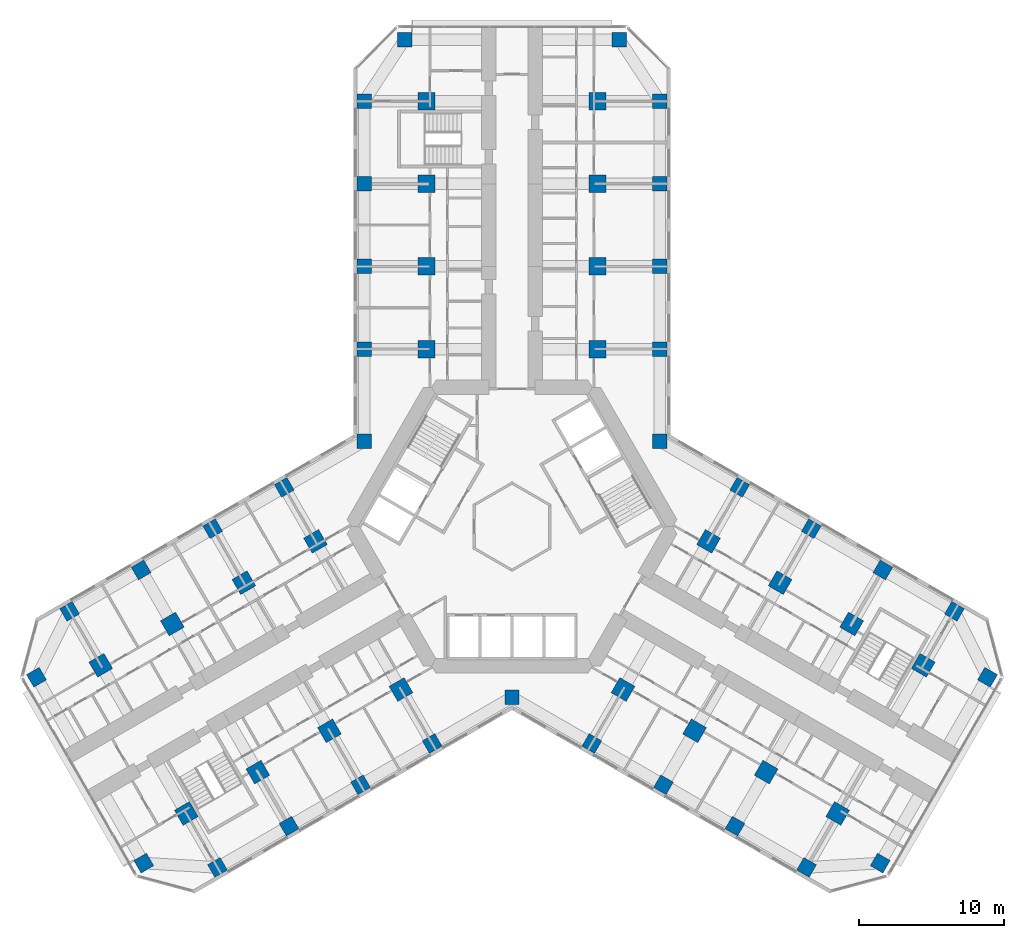
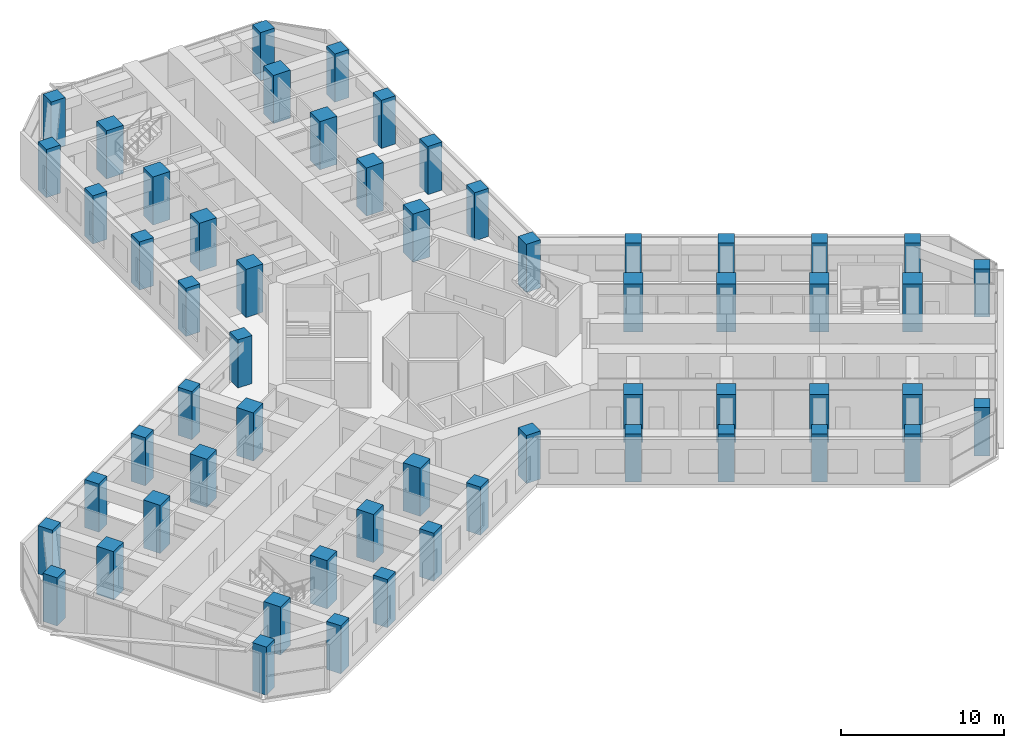
# One storey, part 1 of 21: 57 columns.
"""IFC4 building model written with IfcOpenShell, lengths in metres."""

from ifc_helpers import new_model, si_unit, direction, frame, origin, origin_2d, place, context, subcontext, project, spatial, rectangle, extrude, material, material_profile, profile_set, type_object, element, save


model = new_model("IFC4")

# Units and contexts
model_context = context("Model", 3, precision=1e-05, world=origin(), true_north=direction((0.0, 1.0)))
body_context = subcontext(model_context, "Body", "Model", "MODEL_VIEW")
ifc_project = project(units=[si_unit("LENGTHUNIT", "METRE"), si_unit("AREAUNIT", "SQUARE_METRE"), si_unit("VOLUMEUNIT", "CUBIC_METRE"), si_unit("PLANEANGLEUNIT", "RADIAN"), si_unit("MASSUNIT", "GRAM", prefix="KILO")], contexts=[model_context])

# Site, building, storey
site_placement = place(None, origin())
site = spatial("IfcSite", under=ifc_project, at=site_placement, CompositionType="ELEMENT")
building_placement = place(site_placement, origin())
building = spatial("IfcBuilding", under=site, at=building_placement, Name="Kosmar Iwan School Tower", CompositionType="ELEMENT")
storey_placement = place(building_placement, frame((0.0, 0.0, 68.199951171875)))
storey = spatial("IfcBuildingStorey", under=building, at=storey_placement, Name="L16", CompositionType="ELEMENT", Elevation=68.199951171875)

# Columns
ifc_material_1 = material(Name="Concrete C50/60", Category="concrete")
ifc_material_profile_1 = material_profile(ifc_material_1, rectangle(XDim=1.0, YDim=1.0, at=origin_2d()), Name="RC 1000x1000 + HD 400x677")
ifc_profile_set_1 = profile_set([ifc_material_profile_1], Name="Concrete C50/60")
column_type_1 = type_object("IfcColumnType", Name="Composite column 1000x1000 HD 400x677", PredefinedType="COLUMN", material=ifc_profile_set_1)
for number, where, z_axis, x_axis, name in (
    (1, (-10.199951171875, 12.25, 0.0), (0.0, 0.0, 1.0), (0.0, 1.0, 0.0), "Column AL1 L16"),
    (2, (-10.199951171875, 17.949951171875, 0.0), (0.0, 0.0, 1.0), (0.0, 1.0, 0.0), "Column AL2 L16"),
    (3, (-10.199951171875, 23.64990234375, 0.0), (0.0, 0.0, 1.0), (0.0, 1.0, 0.0), "Column AL3 L16"),
    (4, (-10.199951171875, 29.35009765625, 0.0), (0.0, 0.0, 1.0), (0.0, 1.0, 0.0), "Column AL4 L16"),
    (5, (-7.39990234375, 33.60009765625, 0.0), (0.0, 0.0, 1.0), (0.0, 1.0, 0.0), "Column ALTIP L16"),
    (6, (10.199951171875, 12.25, 0.0), (0.0, 0.0, 1.0), (0.0, 1.0, 0.0), "Column AR1 L16"),
    (7, (10.199951171875, 17.949951171875, 0.0), (0.0, 0.0, 1.0), (0.0, 1.0, 0.0), "Column AR2 L16"),
    (8, (10.199951171875, 23.64990234375, 0.0), (0.0, 0.0, 1.0), (0.0, 1.0, 0.0), "Column AR3 L16"),
    (9, (10.199951171875, 29.35009765625, 0.0), (0.0, 0.0, 1.0), (0.0, 1.0, 0.0), "Column AR4 L16"),
    (10, (7.39990234375, 33.60009765625, 0.0), (0.0, 0.0, 1.0), (0.0, 1.0, 0.0), "Column ARTIP L16"),
    (11, (-5.5087890625, -14.95849609375, 0.0), (0.0, 0.0, 1.0), (-0.866025403784, -0.5, 0.0), "Column BL1 L16"),
    (12, (-10.445068359375, -17.808349609375, 0.0), (0.0, 0.0, 1.0), (-0.866025403784, -0.5, 0.0), "Column BL2 L16"),
    (13, (-15.381591796875, -20.658447265625, 0.0), (0.0, 0.0, 1.0), (-0.866025403784, -0.5, 0.0), "Column BL3 L16"),
    (14, (-20.31787109375, -23.508544921875, 0.0), (0.0, 0.0, 1.0), (-0.866025403784, -0.5, 0.0), "Column BL4 L16"),
    (15, (-25.3984375, -23.20849609375, 0.0), (0.0, 0.0, 1.0), (-0.866025403784, -0.5, 0.0), "Column BLTIP L16"),
    (16, (-15.708740234375, 2.70849609375, 0.0), (0.0, 0.0, 1.0), (-0.866025403784, -0.5, 0.0), "Column BR1 L16"),
    (17, (-20.645263671875, -0.1416015625, 0.0), (0.0, 0.0, 1.0), (-0.866025403784, -0.5, 0.0), "Column BR2 L16"),
    (18, (-25.58154296875, -2.991455078125, 0.0), (0.0, 0.0, 1.0), (-0.866025403784, -0.5, 0.0), "Column BR3 L16"),
    (19, (-30.517822265625, -5.841552734375, 0.0), (0.0, 0.0, 1.0), (-0.866025403784, -0.5, 0.0), "Column BR4 L16"),
    (20, (-32.79833984375, -10.391357421875, 0.0), (0.0, 0.0, 1.0), (-0.866025403784, -0.5, 0.0), "Column BRTIP L16"),
    (21, (15.708740234375, 2.70849609375, 0.0), (0.0, 0.0, 1.0), (0.866025403784, -0.5, 0.0), "Column CL1 L16"),
    (22, (20.645263671875, -0.1416015625, 0.0), (0.0, 0.0, 1.0), (0.866025403784, -0.5, 0.0), "Column CL2 L16"),
    (23, (25.58154296875, -2.991455078125, 0.0), (0.0, 0.0, 1.0), (0.866025403784, -0.5, 0.0), "Column CL3 L16"),
    (24, (30.517822265625, -5.841552734375, 0.0), (0.0, 0.0, 1.0), (0.866025403784, -0.5, 0.0), "Column CL4 L16"),
    (25, (32.79833984375, -10.391357421875, 0.0), (0.0, 0.0, 1.0), (0.866025403784, -0.5, 0.0), "Column CLTIP L16"),
    (26, (5.5087890625, -14.95849609375, 0.0), (0.0, 0.0, 1.0), (0.866025403784, -0.5, 0.0), "Column CR1 L16"),
    (27, (10.445068359375, -17.808349609375, 0.0), (0.0, 0.0, 1.0), (0.866025403784, -0.5, 0.0), "Column CR2 L16"),
    (28, (15.381591796875, -20.658447265625, 0.0), (0.0, 0.0, 1.0), (0.866025403784, -0.5, 0.0), "Column CR3 L16"),
    (29, (20.31787109375, -23.508544921875, 0.0), (0.0, 0.0, 1.0), (0.866025403784, -0.5, 0.0), "Column CR4 L16"),
    (30, (25.3984375, -23.20849609375, 0.0), (0.0, 0.0, 1.0), (0.866025403784, -0.5, 0.0), "Column CRTIP L16"),
    (31, (-10.199951171875, 5.888916015625, 0.0), (0.0, 0.0, 1.0), (1.0, 0.0, 0.0), "Column RAB L16"),
    (32, (10.199951171875, 5.888916015625, 0.0), (0.0, 0.0, 1.0), (1.0, 0.0, 0.0), "Column RAC L16"),
    (33, (0.0, -11.77783203125, 0.0), (0.0, 0.0, 1.0), (1.0, 0.0, 0.0), "Column RBC L16"),
):
    element("IfcColumn", number, at=place(storey_placement, frame(where, z_axis=z_axis, x_axis=x_axis)), inside=storey, type_object=column_type_1, Name=name, PredefinedType="COLUMN", context=body_context, shape_type="SweptSolid", body=[
        extrude(rectangle(XDim=1.0, YDim=1.0, at=origin_2d()), origin(), (0.0, 0.0, 1.0), 3.60009765625),
    ])
ifc_material_2 = material(Name="Concrete C50/60", Category="concrete")
ifc_material_profile_2 = material_profile(ifc_material_2, rectangle(XDim=1.199951171875, YDim=1.199951171875, at=origin_2d()), Name="RC 1200x1200")
ifc_profile_set_2 = profile_set([ifc_material_profile_2], Name="Concrete C50/60")
column_type_2 = type_object("IfcColumnType", Name="RC interior column 1200x1200", PredefinedType="COLUMN", material=ifc_profile_set_2)
for number, where, z_axis, x_axis, name in (
    (34, (-5.89990234375, 12.25, 0.0), (0.0, 0.0, 1.0), (0.0, 1.0, 0.0), "Interior column ALI1 L16"),
    (35, (-5.89990234375, 17.949951171875, 0.0), (0.0, 0.0, 1.0), (0.0, 1.0, 0.0), "Interior column ALI2 L16"),
    (36, (-5.89990234375, 23.64990234375, 0.0), (0.0, 0.0, 1.0), (0.0, 1.0, 0.0), "Interior column ALI3 L16"),
    (37, (-5.89990234375, 29.35009765625, 0.0), (0.0, 0.0, 1.0), (0.0, 1.0, 0.0), "Interior column ALI4 L16"),
    (38, (5.89990234375, 12.25, 0.0), (0.0, 0.0, 1.0), (0.0, 1.0, 0.0), "Interior column ARI1 L16"),
    (39, (5.89990234375, 17.949951171875, 0.0), (0.0, 0.0, 1.0), (0.0, 1.0, 0.0), "Interior column ARI2 L16"),
    (40, (5.89990234375, 23.64990234375, 0.0), (0.0, 0.0, 1.0), (0.0, 1.0, 0.0), "Interior column ARI3 L16"),
    (41, (5.89990234375, 29.35009765625, 0.0), (0.0, 0.0, 1.0), (0.0, 1.0, 0.0), "Interior column ARI4 L16"),
    (42, (-7.65869140625, -11.234619140625, 0.0), (0.0, 0.0, 1.0), (-0.866025403784, -0.5, 0.0), "Interior column BLI1 L16"),
    (43, (-12.59521484375, -14.08447265625, 0.0), (0.0, 0.0, 1.0), (-0.866025403784, -0.5, 0.0), "Interior column BLI2 L16"),
    (44, (-17.531494140625, -16.9345703125, 0.0), (0.0, 0.0, 1.0), (-0.866025403784, -0.5, 0.0), "Interior column BLI3 L16"),
    (45, (-22.4677734375, -19.78466796875, 0.0), (0.0, 0.0, 1.0), (-0.866025403784, -0.5, 0.0), "Interior column BLI4 L16"),
    (46, (-13.558837890625, -1.015380859375, 0.0), (0.0, 0.0, 1.0), (-0.866025403784, -0.5, 0.0), "Interior column BRI1 L16"),
    (47, (-18.4951171875, -3.865478515625, 0.0), (0.0, 0.0, 1.0), (-0.866025403784, -0.5, 0.0), "Interior column BRI2 L16"),
    (48, (-23.431396484375, -6.71533203125, 0.0), (0.0, 0.0, 1.0), (-0.866025403784, -0.5, 0.0), "Interior column BRI3 L16"),
    (49, (-28.367919921875, -9.5654296875, 0.0), (0.0, 0.0, 1.0), (-0.866025403784, -0.5, 0.0), "Interior column BRI4 L16"),
    (50, (13.558837890625, -1.015380859375, 0.0), (0.0, 0.0, 1.0), (0.866025403784, -0.5, 0.0), "Interior column CLI1 L16"),
    (51, (18.4951171875, -3.865478515625, 0.0), (0.0, 0.0, 1.0), (0.866025403784, -0.5, 0.0), "Interior column CLI2 L16"),
    (52, (23.431396484375, -6.71533203125, 0.0), (0.0, 0.0, 1.0), (0.866025403784, -0.5, 0.0), "Interior column CLI3 L16"),
    (53, (28.367919921875, -9.5654296875, 0.0), (0.0, 0.0, 1.0), (0.866025403784, -0.5, 0.0), "Interior column CLI4 L16"),
    (54, (7.65869140625, -11.234619140625, 0.0), (0.0, 0.0, 1.0), (0.866025403784, -0.5, 0.0), "Interior column CRI1 L16"),
    (55, (12.59521484375, -14.08447265625, 0.0), (0.0, 0.0, 1.0), (0.866025403784, -0.5, 0.0), "Interior column CRI2 L16"),
    (56, (17.531494140625, -16.9345703125, 0.0), (0.0, 0.0, 1.0), (0.866025403784, -0.5, 0.0), "Interior column CRI3 L16"),
    (57, (22.4677734375, -19.78466796875, 0.0), (0.0, 0.0, 1.0), (0.866025403784, -0.5, 0.0), "Interior column CRI4 L16"),
):
    element("IfcColumn", number, at=place(storey_placement, frame(where, z_axis=z_axis, x_axis=x_axis)), inside=storey, type_object=column_type_2, Name=name, PredefinedType="COLUMN", context=body_context, shape_type="SweptSolid", body=[
        extrude(rectangle(XDim=1.199951171875, YDim=1.199951171875, at=origin_2d()), origin(), (0.0, 0.0, 1.0), 3.60009765625),
    ])

save(model, "model.ifc")
